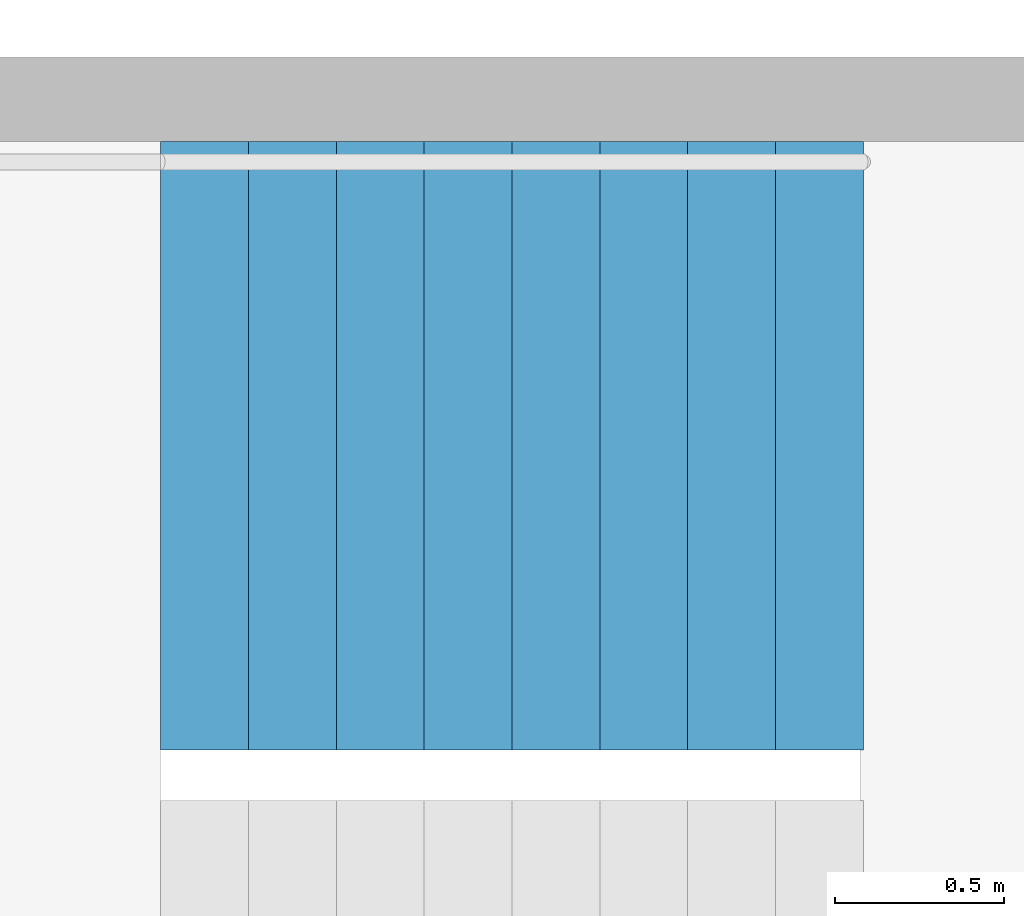
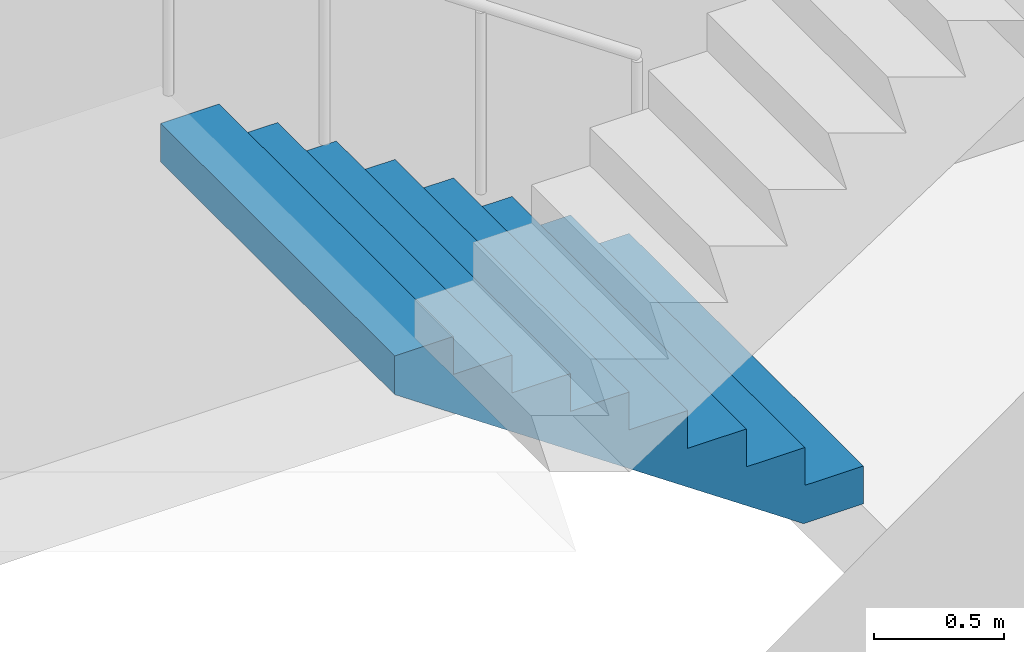
# One storey, part 22 of 29: 1 stair flight, 1 element without a shape of its own.
"""IFC4 building model written with IfcOpenShell, lengths in metres."""

from ifc_helpers import new_model, si_unit, direction, frame, origin, place, context, subcontext, project, spatial, triangles, material, type_object, element, aggregate, save


model = new_model("IFC4")

# Units and contexts
model_context = context("Model", 3, precision=1e-05, world=origin(), true_north=direction((0.0, 1.0)))
body_context = subcontext(model_context, "Body", "Model", "MODEL_VIEW")
ifc_project = project(units=[si_unit("LENGTHUNIT", "METRE"), si_unit("AREAUNIT", "SQUARE_METRE"), si_unit("VOLUMEUNIT", "CUBIC_METRE"), si_unit("PLANEANGLEUNIT", "RADIAN"), si_unit("MASSUNIT", "GRAM", prefix="KILO")], contexts=[model_context])

# Site, building, storey
site_placement = place(None, origin())
site = spatial("IfcSite", under=ifc_project, at=site_placement, CompositionType="ELEMENT")
building_placement = place(site_placement, origin())
building = spatial("IfcBuilding", under=site, at=building_placement, Name="Hakoniwa Tower and Hamabe Station Hall", CompositionType="ELEMENT")
storey_placement = place(building_placement, frame((0.0, 0.0, 29.39990234375)))
storey = spatial("IfcBuildingStorey", under=building, at=storey_placement, Name="L07", CompositionType="ELEMENT", Elevation=29.39990234375)

# Stair, stair flight
ifc_material_1 = material(Name="Concrete C40", Category="concrete")
stair_type = type_object("IfcStairType", Name="ESCAPE STAIR 1800", PredefinedType="HALF_TURN_STAIR", material=ifc_material_1)
stair_placement = place(storey_placement, origin())
stair = element("IfcStair", 1, at=stair_placement, inside=storey, type_object=stair_type, Name="Escape stair ST-2 L07", PredefinedType="HALF_TURN_STAIR")
ifc_material_2 = material(Name="Concrete C40", Category="concrete")
stair_flight_type = type_object("IfcStairFlightType", Name="STAIR FLIGHT 1800", PredefinedType="STRAIGHT", material=ifc_material_2)
stair_flight_placement = place(storey_placement, frame((-23.39990234375, -4.64990234375, 0.0), z_axis=(0.0, 0.0, 1.0), x_axis=(-1.0, 0.0, 0.0)))
stair_flight = element("IfcStairFlight", 2, at=stair_flight_placement, type_object=stair_flight_type, Name="ST-2 flight 1", NumberOfRisers=9, NumberOfTreads=8, PredefinedType="STRAIGHT", RiserHeight=0.177777778, TreadLength=0.26, context=body_context, shape_type="Tessellation", body=[
    triangles([(0.0, 0.89990234375, 0.0), (0.260009765625, 0.89990234375, 0.0), (0.265625, 0.89990234375, 0.0), (0.52001953125, 0.89990234375, 0.174072265625), (0.780029296875, 0.89990234375, 0.351806640625), (1.0400390625, 0.89990234375, 0.529541015625), (1.300048828125, 0.89990234375, 0.707275390625), (1.56005859375, 0.89990234375, 0.885009765625), (1.820068359375, 0.89990234375, 1.062744140625), (2.080078125, 0.89990234375, 1.24072265625), (2.080078125, 0.89990234375, 1.422119140625), (1.820068359375, 0.89990234375, 1.422119140625), (1.820068359375, 0.89990234375, 1.244384765625), (1.56005859375, 0.89990234375, 1.244384765625), (1.56005859375, 0.89990234375, 1.066650390625), (1.300048828125, 0.89990234375, 1.066650390625), (1.300048828125, 0.89990234375, 0.888916015625), (1.0400390625, 0.89990234375, 0.888916015625), (1.0400390625, 0.89990234375, 0.711181640625), (0.780029296875, 0.89990234375, 0.711181640625), (0.780029296875, 0.89990234375, 0.533447265625), (0.52001953125, 0.89990234375, 0.533447265625), (0.52001953125, 0.89990234375, 0.35546875), (0.265625, 0.89990234375, 0.35546875), (0.260009765625, 0.89990234375, 0.35546875), (0.260009765625, 0.89990234375, 0.177734375), (0.0, 0.89990234375, 0.177734375), (0.0, 0.06005859375, 0.0), (0.260009765625, 0.06005859375, 0.0), (0.265625, 0.06005859375, 0.0), (0.52001953125, 0.06005859375, 0.174072265625), (0.780029296875, 0.06005859375, 0.351806640625), (1.0400390625, 0.06005859375, 0.529541015625), (1.300048828125, 0.06005859375, 0.707275390625), (1.56005859375, 0.06005859375, 0.885009765625), (1.820068359375, 0.06005859375, 1.062744140625), (2.080078125, 0.06005859375, 1.24072265625), (2.080078125, 0.06005859375, 1.422119140625), (1.820068359375, 0.06005859375, 1.422119140625), (1.820068359375, 0.06005859375, 1.244384765625), (1.56005859375, 0.06005859375, 1.244384765625), (1.56005859375, 0.06005859375, 1.066650390625), (1.300048828125, 0.06005859375, 1.066650390625), (1.300048828125, 0.06005859375, 0.888916015625), (1.0400390625, 0.06005859375, 0.888916015625), (1.0400390625, 0.06005859375, 0.711181640625), (0.780029296875, 0.06005859375, 0.711181640625), (0.780029296875, 0.06005859375, 0.533447265625), (0.52001953125, 0.06005859375, 0.533447265625), (0.52001953125, 0.06005859375, 0.35546875), (0.265625, 0.06005859375, 0.35546875), (0.260009765625, 0.06005859375, 0.35546875), (0.260009765625, 0.06005859375, 0.177734375), (0.0, 0.06005859375, 0.177734375), (0.0, 0.04296875, 0.0), (0.260009765625, 0.04296875, 0.0), (0.265625, 0.04296875, 0.0), (0.52001953125, 0.04296875, 0.174072265625), (0.780029296875, 0.04296875, 0.351806640625), (1.0400390625, 0.04296875, 0.529541015625), (1.300048828125, 0.04296875, 0.707275390625), (1.56005859375, 0.04296875, 0.885009765625), (1.820068359375, 0.04296875, 1.062744140625), (2.080078125, 0.04296875, 1.24072265625), (2.080078125, 0.04296875, 1.422119140625), (1.820068359375, 0.04296875, 1.422119140625), (1.820068359375, 0.04296875, 1.244384765625), (1.56005859375, 0.04296875, 1.244384765625), (1.56005859375, 0.04296875, 1.066650390625), (1.300048828125, 0.04296875, 1.066650390625), (1.300048828125, 0.04296875, 0.888916015625), (1.0400390625, 0.04296875, 0.888916015625), (1.0400390625, 0.04296875, 0.711181640625), (0.780029296875, 0.04296875, 0.711181640625), (0.780029296875, 0.04296875, 0.533447265625), (0.52001953125, 0.04296875, 0.533447265625), (0.52001953125, 0.04296875, 0.35546875), (0.265625, 0.04296875, 0.35546875), (0.260009765625, 0.04296875, 0.35546875), (0.260009765625, 0.04296875, 0.177734375), (0.0, 0.04296875, 0.177734375), (0.0, 0.025634765625, 0.0), (0.260009765625, 0.025634765625, 0.0), (0.265625, 0.025634765625, 0.0), (0.52001953125, 0.025634765625, 0.174072265625), (0.780029296875, 0.025634765625, 0.351806640625), (1.0400390625, 0.025634765625, 0.529541015625), (1.300048828125, 0.025634765625, 0.707275390625), (1.56005859375, 0.025634765625, 0.885009765625), (1.820068359375, 0.025634765625, 1.062744140625), (2.080078125, 0.025634765625, 1.24072265625), (2.080078125, 0.025634765625, 1.422119140625), (1.820068359375, 0.025634765625, 1.422119140625), (1.820068359375, 0.025634765625, 1.244384765625), (1.56005859375, 0.025634765625, 1.244384765625), (1.56005859375, 0.025634765625, 1.066650390625), (1.300048828125, 0.025634765625, 1.066650390625), (1.300048828125, 0.025634765625, 0.888916015625), (1.0400390625, 0.025634765625, 0.888916015625), (1.0400390625, 0.025634765625, 0.711181640625), (0.780029296875, 0.025634765625, 0.711181640625), (0.780029296875, 0.025634765625, 0.533447265625), (0.52001953125, 0.025634765625, 0.533447265625), (0.52001953125, 0.025634765625, 0.35546875), (0.265625, 0.025634765625, 0.35546875), (0.260009765625, 0.025634765625, 0.35546875), (0.260009765625, 0.025634765625, 0.177734375), (0.0, 0.025634765625, 0.177734375), (0.0, 0.008544921875, 0.0), (0.260009765625, 0.008544921875, 0.0), (0.265625, 0.008544921875, 0.0), (0.52001953125, 0.008544921875, 0.174072265625), (0.780029296875, 0.008544921875, 0.351806640625), (1.0400390625, 0.008544921875, 0.529541015625), (1.300048828125, 0.008544921875, 0.707275390625), (1.56005859375, 0.008544921875, 0.885009765625), (1.820068359375, 0.008544921875, 1.062744140625), (2.080078125, 0.008544921875, 1.24072265625), (2.080078125, 0.008544921875, 1.422119140625), (1.820068359375, 0.008544921875, 1.422119140625), (1.820068359375, 0.008544921875, 1.244384765625), (1.56005859375, 0.008544921875, 1.244384765625), (1.56005859375, 0.008544921875, 1.066650390625), (1.300048828125, 0.008544921875, 1.066650390625), (1.300048828125, 0.008544921875, 0.888916015625), (1.0400390625, 0.008544921875, 0.888916015625), (1.0400390625, 0.008544921875, 0.711181640625), (0.780029296875, 0.008544921875, 0.711181640625), (0.780029296875, 0.008544921875, 0.533447265625), (0.52001953125, 0.008544921875, 0.533447265625), (0.52001953125, 0.008544921875, 0.35546875), (0.265625, 0.008544921875, 0.35546875), (0.260009765625, 0.008544921875, 0.35546875), (0.260009765625, 0.008544921875, 0.177734375), (0.0, 0.008544921875, 0.177734375), (0.0, -0.008544921875, 0.0), (0.260009765625, -0.008544921875, 0.0), (0.265625, -0.008544921875, 0.0), (0.52001953125, -0.008544921875, 0.174072265625), (0.780029296875, -0.008544921875, 0.351806640625), (1.0400390625, -0.008544921875, 0.529541015625), (1.300048828125, -0.008544921875, 0.707275390625), (1.56005859375, -0.008544921875, 0.885009765625), (1.820068359375, -0.008544921875, 1.062744140625), (2.080078125, -0.008544921875, 1.24072265625), (2.080078125, -0.008544921875, 1.422119140625), (1.820068359375, -0.008544921875, 1.422119140625), (1.820068359375, -0.008544921875, 1.244384765625), (1.56005859375, -0.008544921875, 1.244384765625), (1.56005859375, -0.008544921875, 1.066650390625), (1.300048828125, -0.008544921875, 1.066650390625), (1.300048828125, -0.008544921875, 0.888916015625), (1.0400390625, -0.008544921875, 0.888916015625), (1.0400390625, -0.008544921875, 0.711181640625), (0.780029296875, -0.008544921875, 0.711181640625), (0.780029296875, -0.008544921875, 0.533447265625), (0.52001953125, -0.008544921875, 0.533447265625), (0.52001953125, -0.008544921875, 0.35546875), (0.265625, -0.008544921875, 0.35546875), (0.260009765625, -0.008544921875, 0.35546875), (0.260009765625, -0.008544921875, 0.177734375), (0.0, -0.008544921875, 0.177734375), (0.0, -0.025634765625, 0.0), (0.260009765625, -0.025634765625, 0.0), (0.265625, -0.025634765625, 0.0), (0.52001953125, -0.025634765625, 0.174072265625), (0.780029296875, -0.025634765625, 0.351806640625), (1.0400390625, -0.025634765625, 0.529541015625), (1.300048828125, -0.025634765625, 0.707275390625), (1.56005859375, -0.025634765625, 0.885009765625), (1.820068359375, -0.025634765625, 1.062744140625), (2.080078125, -0.025634765625, 1.24072265625), (2.080078125, -0.025634765625, 1.422119140625), (1.820068359375, -0.025634765625, 1.422119140625), (1.820068359375, -0.025634765625, 1.244384765625), (1.56005859375, -0.025634765625, 1.244384765625), (1.56005859375, -0.025634765625, 1.066650390625), (1.300048828125, -0.025634765625, 1.066650390625), (1.300048828125, -0.025634765625, 0.888916015625), (1.0400390625, -0.025634765625, 0.888916015625), (1.0400390625, -0.025634765625, 0.711181640625), (0.780029296875, -0.025634765625, 0.711181640625), (0.780029296875, -0.025634765625, 0.533447265625), (0.52001953125, -0.025634765625, 0.533447265625), (0.52001953125, -0.025634765625, 0.35546875), (0.265625, -0.025634765625, 0.35546875), (0.260009765625, -0.025634765625, 0.35546875), (0.260009765625, -0.025634765625, 0.177734375), (0.0, -0.025634765625, 0.177734375), (0.0, -0.04296875, 0.0), (0.260009765625, -0.04296875, 0.0), (0.265625, -0.04296875, 0.0), (0.52001953125, -0.04296875, 0.174072265625), (0.780029296875, -0.04296875, 0.351806640625), (1.0400390625, -0.04296875, 0.529541015625), (1.300048828125, -0.04296875, 0.707275390625), (1.56005859375, -0.04296875, 0.885009765625), (1.820068359375, -0.04296875, 1.062744140625), (2.080078125, -0.04296875, 1.24072265625), (2.080078125, -0.04296875, 1.422119140625), (1.820068359375, -0.04296875, 1.422119140625), (1.820068359375, -0.04296875, 1.244384765625), (1.56005859375, -0.04296875, 1.244384765625), (1.56005859375, -0.04296875, 1.066650390625), (1.300048828125, -0.04296875, 1.066650390625), (1.300048828125, -0.04296875, 0.888916015625), (1.0400390625, -0.04296875, 0.888916015625), (1.0400390625, -0.04296875, 0.711181640625), (0.780029296875, -0.04296875, 0.711181640625), (0.780029296875, -0.04296875, 0.533447265625), (0.52001953125, -0.04296875, 0.533447265625), (0.52001953125, -0.04296875, 0.35546875), (0.265625, -0.04296875, 0.35546875), (0.260009765625, -0.04296875, 0.35546875), (0.260009765625, -0.04296875, 0.177734375), (0.0, -0.04296875, 0.177734375), (0.0, -0.06005859375, 0.0), (0.260009765625, -0.06005859375, 0.0), (0.265625, -0.06005859375, 0.0), (0.52001953125, -0.06005859375, 0.174072265625), (0.780029296875, -0.06005859375, 0.351806640625), (1.0400390625, -0.06005859375, 0.529541015625), (1.300048828125, -0.06005859375, 0.707275390625), (1.56005859375, -0.06005859375, 0.885009765625), (1.820068359375, -0.06005859375, 1.062744140625), (2.080078125, -0.06005859375, 1.24072265625), (2.080078125, -0.06005859375, 1.422119140625), (1.820068359375, -0.06005859375, 1.422119140625), (1.820068359375, -0.06005859375, 1.244384765625), (1.56005859375, -0.06005859375, 1.244384765625), (1.56005859375, -0.06005859375, 1.066650390625), (1.300048828125, -0.06005859375, 1.066650390625), (1.300048828125, -0.06005859375, 0.888916015625), (1.0400390625, -0.06005859375, 0.888916015625), (1.0400390625, -0.06005859375, 0.711181640625), (0.780029296875, -0.06005859375, 0.711181640625), (0.780029296875, -0.06005859375, 0.533447265625), (0.52001953125, -0.06005859375, 0.533447265625), (0.52001953125, -0.06005859375, 0.35546875), (0.265625, -0.06005859375, 0.35546875), (0.260009765625, -0.06005859375, 0.35546875), (0.260009765625, -0.06005859375, 0.177734375), (0.0, -0.06005859375, 0.177734375), (0.0, -0.89990234375, 0.0), (0.260009765625, -0.89990234375, 0.0), (0.265625, -0.89990234375, 0.0), (0.52001953125, -0.89990234375, 0.174072265625), (0.780029296875, -0.89990234375, 0.351806640625), (1.0400390625, -0.89990234375, 0.529541015625), (1.300048828125, -0.89990234375, 0.707275390625), (1.56005859375, -0.89990234375, 0.885009765625), (1.820068359375, -0.89990234375, 1.062744140625), (2.080078125, -0.89990234375, 1.24072265625), (2.080078125, -0.89990234375, 1.422119140625), (1.820068359375, -0.89990234375, 1.422119140625), (1.820068359375, -0.89990234375, 1.244384765625), (1.56005859375, -0.89990234375, 1.244384765625), (1.56005859375, -0.89990234375, 1.066650390625), (1.300048828125, -0.89990234375, 1.066650390625), (1.300048828125, -0.89990234375, 0.888916015625), (1.0400390625, -0.89990234375, 0.888916015625), (1.0400390625, -0.89990234375, 0.711181640625), (0.780029296875, -0.89990234375, 0.711181640625), (0.780029296875, -0.89990234375, 0.533447265625), (0.52001953125, -0.89990234375, 0.533447265625), (0.52001953125, -0.89990234375, 0.35546875), (0.265625, -0.89990234375, 0.35546875), (0.260009765625, -0.89990234375, 0.35546875), (0.260009765625, -0.89990234375, 0.177734375), (0.0, -0.89990234375, 0.177734375)], [[2, 27, 26], [245, 269, 270], [2, 1, 27], [245, 270, 244], [3, 25, 24], [246, 267, 268], [3, 26, 25], [246, 268, 269], [3, 2, 26], [246, 269, 245], [4, 24, 23], [247, 266, 267], [4, 3, 24], [247, 267, 246], [5, 22, 21], [248, 264, 265], [5, 23, 22], [248, 265, 266], [5, 4, 23], [248, 266, 247], [6, 20, 19], [249, 262, 263], [6, 21, 20], [249, 263, 264], [6, 5, 21], [249, 264, 248], [7, 18, 17], [250, 260, 261], [7, 19, 18], [250, 261, 262], [7, 6, 19], [250, 262, 249], [8, 16, 15], [251, 258, 259], [8, 17, 16], [251, 259, 260], [8, 7, 17], [251, 260, 250], [9, 14, 13], [252, 256, 257], [9, 15, 14], [252, 257, 258], [9, 8, 15], [252, 258, 251], [10, 12, 11], [253, 254, 255], [10, 13, 12], [253, 255, 256], [10, 9, 13], [253, 256, 252], [1, 2, 29], [1, 29, 28], [28, 29, 56], [28, 56, 55], [55, 56, 83], [55, 83, 82], [82, 83, 110], [82, 110, 109], [109, 110, 137], [109, 137, 136], [136, 137, 164], [136, 164, 163], [163, 164, 191], [163, 191, 190], [190, 191, 218], [190, 218, 217], [217, 218, 245], [217, 245, 244], [2, 3, 30], [2, 30, 29], [29, 30, 57], [29, 57, 56], [56, 57, 84], [56, 84, 83], [83, 84, 111], [83, 111, 110], [110, 111, 138], [110, 138, 137], [137, 138, 165], [137, 165, 164], [164, 165, 192], [164, 192, 191], [191, 192, 219], [191, 219, 218], [218, 219, 246], [218, 246, 245], [3, 4, 31], [3, 31, 30], [30, 31, 58], [30, 58, 57], [57, 58, 85], [57, 85, 84], [84, 85, 112], [84, 112, 111], [111, 112, 139], [111, 139, 138], [138, 139, 166], [138, 166, 165], [165, 166, 193], [165, 193, 192], [192, 193, 220], [192, 220, 219], [219, 220, 247], [219, 247, 246], [4, 5, 32], [4, 32, 31], [31, 32, 59], [31, 59, 58], [58, 59, 86], [58, 86, 85], [85, 86, 113], [85, 113, 112], [112, 113, 140], [112, 140, 139], [139, 140, 167], [139, 167, 166], [166, 167, 194], [166, 194, 193], [193, 194, 221], [193, 221, 220], [220, 221, 248], [220, 248, 247], [5, 6, 33], [5, 33, 32], [32, 33, 60], [32, 60, 59], [59, 60, 87], [59, 87, 86], [86, 87, 114], [86, 114, 113], [113, 114, 141], [113, 141, 140], [140, 141, 168], [140, 168, 167], [167, 168, 195], [167, 195, 194], [194, 195, 222], [194, 222, 221], [221, 222, 249], [221, 249, 248], [6, 7, 34], [6, 34, 33], [33, 34, 61], [33, 61, 60], [60, 61, 88], [60, 88, 87], [87, 88, 115], [87, 115, 114], [114, 115, 142], [114, 142, 141], [141, 142, 169], [141, 169, 168], [168, 169, 196], [168, 196, 195], [195, 196, 223], [195, 223, 222], [222, 223, 250], [222, 250, 249], [7, 8, 35], [7, 35, 34], [34, 35, 62], [34, 62, 61], [61, 62, 89], [61, 89, 88], [88, 89, 116], [88, 116, 115], [115, 116, 143], [115, 143, 142], [142, 143, 170], [142, 170, 169], [169, 170, 197], [169, 197, 196], [196, 197, 224], [196, 224, 223], [223, 224, 251], [223, 251, 250], [8, 9, 36], [8, 36, 35], [35, 36, 63], [35, 63, 62], [62, 63, 90], [62, 90, 89], [89, 90, 117], [89, 117, 116], [116, 117, 144], [116, 144, 143], [143, 144, 171], [143, 171, 170], [170, 171, 198], [170, 198, 197], [197, 198, 225], [197, 225, 224], [224, 225, 252], [224, 252, 251], [9, 10, 37], [9, 37, 36], [36, 37, 64], [36, 64, 63], [63, 64, 91], [63, 91, 90], [90, 91, 118], [90, 118, 117], [117, 118, 145], [117, 145, 144], [144, 145, 172], [144, 172, 171], [171, 172, 199], [171, 199, 198], [198, 199, 226], [198, 226, 225], [225, 226, 253], [225, 253, 252], [10, 11, 38], [10, 38, 37], [37, 38, 65], [37, 65, 64], [64, 65, 92], [64, 92, 91], [91, 92, 119], [91, 119, 118], [118, 119, 146], [118, 146, 145], [145, 146, 173], [145, 173, 172], [172, 173, 200], [172, 200, 199], [199, 200, 227], [199, 227, 226], [226, 227, 254], [226, 254, 253], [11, 12, 39], [11, 39, 38], [38, 39, 66], [38, 66, 65], [65, 66, 93], [65, 93, 92], [92, 93, 120], [92, 120, 119], [119, 120, 147], [119, 147, 146], [146, 147, 174], [146, 174, 173], [173, 174, 201], [173, 201, 200], [200, 201, 228], [200, 228, 227], [227, 228, 255], [227, 255, 254], [12, 13, 40], [12, 40, 39], [39, 40, 67], [39, 67, 66], [66, 67, 94], [66, 94, 93], [93, 94, 121], [93, 121, 120], [120, 121, 148], [120, 148, 147], [147, 148, 175], [147, 175, 174], [174, 175, 202], [174, 202, 201], [201, 202, 229], [201, 229, 228], [228, 229, 256], [228, 256, 255], [13, 14, 41], [13, 41, 40], [40, 41, 68], [40, 68, 67], [67, 68, 95], [67, 95, 94], [94, 95, 122], [94, 122, 121], [121, 122, 149], [121, 149, 148], [148, 149, 176], [148, 176, 175], [175, 176, 203], [175, 203, 202], [202, 203, 230], [202, 230, 229], [229, 230, 257], [229, 257, 256], [14, 15, 42], [14, 42, 41], [41, 42, 69], [41, 69, 68], [68, 69, 96], [68, 96, 95], [95, 96, 123], [95, 123, 122], [122, 123, 150], [122, 150, 149], [149, 150, 177], [149, 177, 176], [176, 177, 204], [176, 204, 203], [203, 204, 231], [203, 231, 230], [230, 231, 258], [230, 258, 257], [15, 16, 43], [15, 43, 42], [42, 43, 70], [42, 70, 69], [69, 70, 97], [69, 97, 96], [96, 97, 124], [96, 124, 123], [123, 124, 151], [123, 151, 150], [150, 151, 178], [150, 178, 177], [177, 178, 205], [177, 205, 204], [204, 205, 232], [204, 232, 231], [231, 232, 259], [231, 259, 258], [16, 17, 44], [16, 44, 43], [43, 44, 71], [43, 71, 70], [70, 71, 98], [70, 98, 97], [97, 98, 125], [97, 125, 124], [124, 125, 152], [124, 152, 151], [151, 152, 179], [151, 179, 178], [178, 179, 206], [178, 206, 205], [205, 206, 233], [205, 233, 232], [232, 233, 260], [232, 260, 259], [17, 18, 45], [17, 45, 44], [44, 45, 72], [44, 72, 71], [71, 72, 99], [71, 99, 98], [98, 99, 126], [98, 126, 125], [125, 126, 153], [125, 153, 152], [152, 153, 180], [152, 180, 179], [179, 180, 207], [179, 207, 206], [206, 207, 234], [206, 234, 233], [233, 234, 261], [233, 261, 260], [18, 19, 46], [18, 46, 45], [45, 46, 73], [45, 73, 72], [72, 73, 100], [72, 100, 99], [99, 100, 127], [99, 127, 126], [126, 127, 154], [126, 154, 153], [153, 154, 181], [153, 181, 180], [180, 181, 208], [180, 208, 207], [207, 208, 235], [207, 235, 234], [234, 235, 262], [234, 262, 261], [19, 20, 47], [19, 47, 46], [46, 47, 74], [46, 74, 73], [73, 74, 101], [73, 101, 100], [100, 101, 128], [100, 128, 127], [127, 128, 155], [127, 155, 154], [154, 155, 182], [154, 182, 181], [181, 182, 209], [181, 209, 208], [208, 209, 236], [208, 236, 235], [235, 236, 263], [235, 263, 262], [20, 21, 48], [20, 48, 47], [47, 48, 75], [47, 75, 74], [74, 75, 102], [74, 102, 101], [101, 102, 129], [101, 129, 128], [128, 129, 156], [128, 156, 155], [155, 156, 183], [155, 183, 182], [182, 183, 210], [182, 210, 209], [209, 210, 237], [209, 237, 236], [236, 237, 264], [236, 264, 263], [21, 22, 49], [21, 49, 48], [48, 49, 76], [48, 76, 75], [75, 76, 103], [75, 103, 102], [102, 103, 130], [102, 130, 129], [129, 130, 157], [129, 157, 156], [156, 157, 184], [156, 184, 183], [183, 184, 211], [183, 211, 210], [210, 211, 238], [210, 238, 237], [237, 238, 265], [237, 265, 264], [22, 23, 50], [22, 50, 49], [49, 50, 77], [49, 77, 76], [76, 77, 104], [76, 104, 103], [103, 104, 131], [103, 131, 130], [130, 131, 158], [130, 158, 157], [157, 158, 185], [157, 185, 184], [184, 185, 212], [184, 212, 211], [211, 212, 239], [211, 239, 238], [238, 239, 266], [238, 266, 265], [23, 24, 51], [23, 51, 50], [50, 51, 78], [50, 78, 77], [77, 78, 105], [77, 105, 104], [104, 105, 132], [104, 132, 131], [131, 132, 159], [131, 159, 158], [158, 159, 186], [158, 186, 185], [185, 186, 213], [185, 213, 212], [212, 213, 240], [212, 240, 239], [239, 240, 267], [239, 267, 266], [24, 25, 52], [24, 52, 51], [51, 52, 79], [51, 79, 78], [78, 79, 106], [78, 106, 105], [105, 106, 133], [105, 133, 132], [132, 133, 160], [132, 160, 159], [159, 160, 187], [159, 187, 186], [186, 187, 214], [186, 214, 213], [213, 214, 241], [213, 241, 240], [240, 241, 268], [240, 268, 267], [25, 26, 53], [25, 53, 52], [52, 53, 80], [52, 80, 79], [79, 80, 107], [79, 107, 106], [106, 107, 134], [106, 134, 133], [133, 134, 161], [133, 161, 160], [160, 161, 188], [160, 188, 187], [187, 188, 215], [187, 215, 214], [214, 215, 242], [214, 242, 241], [241, 242, 269], [241, 269, 268], [26, 27, 54], [26, 54, 53], [53, 54, 81], [53, 81, 80], [80, 81, 108], [80, 108, 107], [107, 108, 135], [107, 135, 134], [134, 135, 162], [134, 162, 161], [161, 162, 189], [161, 189, 188], [188, 189, 216], [188, 216, 215], [215, 216, 243], [215, 243, 242], [242, 243, 270], [242, 270, 269], [27, 1, 28], [27, 28, 54], [54, 28, 55], [54, 55, 81], [81, 55, 82], [81, 82, 108], [108, 82, 109], [108, 109, 135], [135, 109, 136], [135, 136, 162], [162, 136, 163], [162, 163, 189], [189, 163, 190], [189, 190, 216], [216, 190, 217], [216, 217, 243], [243, 217, 244], [243, 244, 270]], closed=True),
])
aggregate(stair, [stair_flight])

save(model, "model.ifc")
